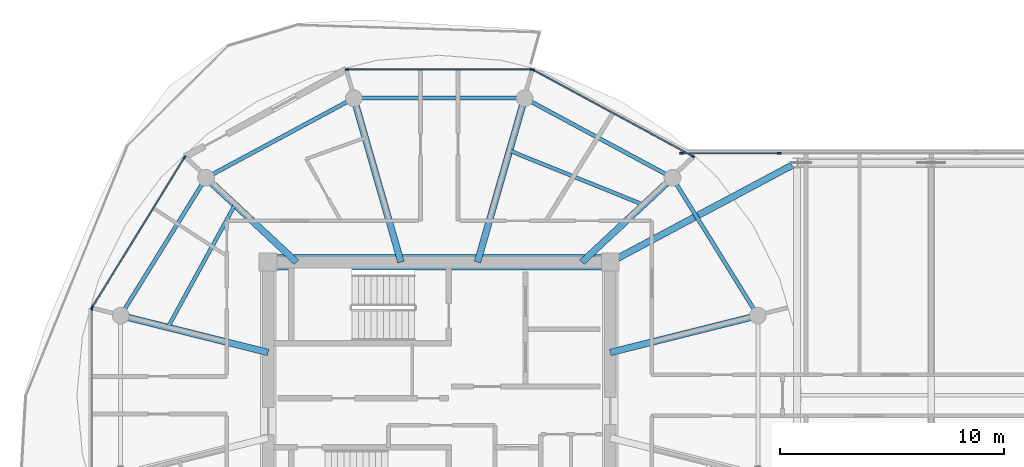
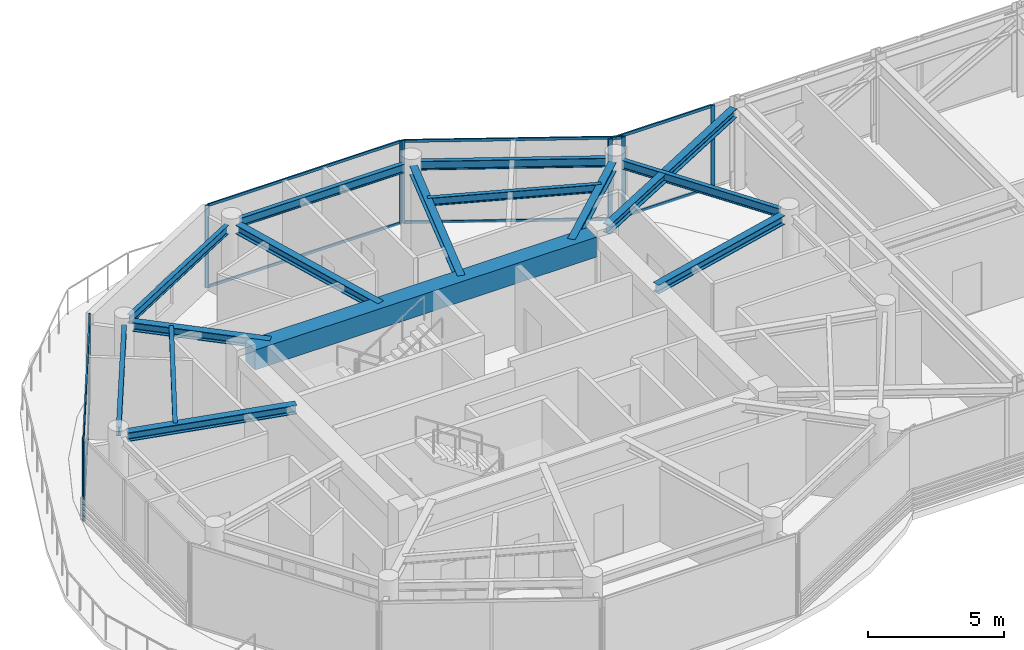
# One storey, part 5 of 24: 17 members, 15 beams, 5 elements without a shape of their own.
"""IFC4 building model written with IfcOpenShell, lengths in metres."""

from ifc_helpers import new_model, si_unit, direction, frame, origin, origin_2d, place, context, subcontext, project, spatial, rectangle, i_section, extrude, source, transform, mapped, material, layer, layer_set, material_profile, profile_set, type_object, type_shapes, element, aggregate, save


model = new_model("IFC4")

# Units and contexts
model_context = context("Model", 3, precision=1e-05, world=origin(), true_north=direction((0.0, 1.0)))
body_context = subcontext(model_context, "Body", "Model", "MODEL_VIEW")
ifc_project = project(units=[si_unit("LENGTHUNIT", "METRE"), si_unit("AREAUNIT", "SQUARE_METRE"), si_unit("VOLUMEUNIT", "CUBIC_METRE"), si_unit("PLANEANGLEUNIT", "RADIAN"), si_unit("MASSUNIT", "GRAM", prefix="KILO")], contexts=[model_context])

# Site, building, storey
site_placement = place(None, origin())
site = spatial("IfcSite", under=ifc_project, at=site_placement, CompositionType="ELEMENT")
building_placement = place(site_placement, origin())
building = spatial("IfcBuilding", under=site, at=building_placement, Name="Norrkilde Senior Care Towers", CompositionType="ELEMENT")
storey_placement = place(building_placement, frame((0.0, 0.0, 203.800048828125)))
storey = spatial("IfcBuildingStorey", under=building, at=storey_placement, Name="L63", CompositionType="ELEMENT", Elevation=203.800048828125)

# Beams
ifc_material_1 = material(Name="Concrete C60/75", Category="concrete")
ifc_material_profile_1 = material_profile(ifc_material_1, rectangle(XDim=0.699951171875, YDim=0.89990234375, at=origin_2d()), Name="RC BM 700x900")
ifc_profile_set_1 = profile_set([ifc_material_profile_1], Name="Concrete C60/75")
beam_type_1 = type_object("IfcBeamType", Name="Core Coupling Girder 700x900", PredefinedType="USERDEFINED", material=ifc_profile_set_1)
shared_shape_1 = source(origin(), body_context, "Body", "SweptSolid", [
    extrude(rectangle(XDim=0.699951171875, YDim=0.89990234375, at=origin_2d()), origin(), (0.0, 0.0, 1.0), 14.5400390625),
])
type_shapes(beam_type_1, [shared_shape_1])
beam_1_placement = place(storey_placement, frame((-35.27001953125, 5.949951171875, 3.260009765625), z_axis=(1.0, 0.0, 0.0), x_axis=(0.0, 1.0, 0.0)))
element("IfcBeam", 1, at=beam_1_placement, inside=storey, type_object=beam_type_1, Name="L63 Core W N Coupling Girder", ObjectType="GIRDER", PredefinedType="USERDEFINED", context=body_context, shape_type="MappedRepresentation", body=[
    mapped(shared_shape_1, transform((0.0, 0.0, 0.0), x_axis=(1.0, 0.0, 0.0), y_axis=(0.0, 1.0, 0.0), z_axis=(0.0, 0.0, 1.0), scale=1.0)),
])
ifc_material_2 = material(Name="Steel S355", Category="steel")
ifc_material_profile_2 = material_profile(ifc_material_2, i_section(OverallWidth=0.179931640625, OverallDepth=0.39990234375, WebThickness=0.008544921875, FlangeThickness=0.013427734375, FilletRadius=0.02099609375, at=origin_2d()), Name="IPE 400")
ifc_profile_set_2 = profile_set([ifc_material_profile_2], Name="Steel S355")
beam_type_2 = type_object("IfcBeamType", Name="Perimeter Ring Spandrel Z4 IPE400", PredefinedType="SPANDREL", material=ifc_profile_set_2)
shared_shape_2 = source(origin(), body_context, "Body", "SweptSolid", [
    extrude(i_section(OverallWidth=0.179931640625, OverallDepth=0.39990234375, WebThickness=0.008544921875, FlangeThickness=0.013427734375, FilletRadius=0.02099609375, at=origin_2d()), origin(), (0.0, 0.0, 1.0), 6.58056640625),
])
for number, where, z_axis, x_axis, name in (
    (2, (-13.928955078125, 3.843505859375, 3.510009765625), (-0.526529583789, 0.850156807533, 0.0), (-0.850156807533, -0.526529583789, 0.0), "L63 Drum W Perimeter Spandrel 01"),
    (3, (-38.606201171875, 9.43798828125, 3.510009765625), (-0.526529583789, -0.850156807533, 0.0), (0.850156807533, -0.526529583789, 0.0), "L63 Drum W Perimeter Spandrel 05"),
):
    element("IfcBeam", number, at=place(storey_placement, frame(where, z_axis=z_axis, x_axis=x_axis)), inside=storey, type_object=beam_type_2, Name=name, PredefinedType="SPANDREL", context=body_context, shape_type="MappedRepresentation", body=[
        mapped(shared_shape_2, transform((0.0, 0.0, 0.0), x_axis=(1.0, 0.0, 0.0), y_axis=(0.0, 1.0, 0.0), z_axis=(0.0, 0.0, 1.0), scale=1.0)),
    ])
ifc_material_profile_3 = material_profile(ifc_material_2, i_section(OverallWidth=0.300048828125, OverallDepth=0.39990234375, WebThickness=0.013427734375, FlangeThickness=0.02392578125, FilletRadius=0.027099609375, at=origin_2d()), Name="HEB 400")
ifc_profile_set_3 = profile_set([ifc_material_profile_3], Name="Steel S355")
beam_type_3 = type_object("IfcBeamType", Name="Radial Floor Beam Z4 HEB400", PredefinedType="BEAM", material=ifc_profile_set_3)
shared_shape_3 = source(origin(), body_context, "Body", "SweptSolid", [
    extrude(i_section(OverallWidth=0.300048828125, OverallDepth=0.39990234375, WebThickness=0.013427734375, FlangeThickness=0.02392578125, FilletRadius=0.027099609375, at=origin_2d()), origin(), (0.0, 0.0, 1.0), 6.465087890625),
])
for number, where, z_axis, x_axis, name in (
    (4, (-20.35009765625, 1.910888671875, 3.510009765625), (0.970195788563, 0.242322371758, 0.0), (-0.242322371758, 0.970195788563, 0.0), "L63 Drum W Radial Floor Beam 01"),
    (5, (-35.64990234375, 1.910888671875, 3.510009765625), (-0.970195788563, 0.242322371758, 0.0), (-0.242322371758, -0.970195788563, 0.0), "L63 Drum W Radial Floor Beam 06"),
):
    element("IfcBeam", number, at=place(storey_placement, frame(where, z_axis=z_axis, x_axis=x_axis)), inside=storey, type_object=beam_type_3, Name=name, PredefinedType="BEAM", context=body_context, shape_type="MappedRepresentation", body=[
        mapped(shared_shape_3, transform((0.0, 0.0, 0.0), x_axis=(1.0, 0.0, 0.0), y_axis=(0.0, 1.0, 0.0), z_axis=(0.0, 0.0, 1.0), scale=1.0)),
    ])
shared_shape_4 = source(origin(), body_context, "Body", "SweptSolid", [
    extrude(i_section(OverallWidth=0.179931640625, OverallDepth=0.39990234375, WebThickness=0.008544921875, FlangeThickness=0.013427734375, FilletRadius=0.02099609375, at=origin_2d()), origin(), (0.0, 0.0, 1.0), 6.839111328125),
])
for number, where, z_axis, x_axis, name in (
    (6, (-17.865234375, 9.881591796875, 3.510009765625), (-0.880563930732, 0.473927382511, 0.0), (-0.473927382511, -0.880563930732, 0.0), "L63 Drum W Perimeter Spandrel 02"),
    (7, (-32.112548828125, 13.122802734375, 3.510009765625), (-0.880563930732, -0.473927382511, 0.0), (0.473927382511, -0.880563930732, 0.0), "L63 Drum W Perimeter Spandrel 04"),
):
    element("IfcBeam", number, at=place(storey_placement, frame(where, z_axis=z_axis, x_axis=x_axis)), inside=storey, type_object=beam_type_2, Name=name, PredefinedType="SPANDREL", context=body_context, shape_type="MappedRepresentation", body=[
        mapped(shared_shape_4, transform((0.0, 0.0, 0.0), x_axis=(1.0, 0.0, 0.0), y_axis=(0.0, 1.0, 0.0), z_axis=(0.0, 0.0, 1.0), scale=1.0)),
    ])
shared_shape_5 = source(origin(), body_context, "Body", "SweptSolid", [
    extrude(i_section(OverallWidth=0.300048828125, OverallDepth=0.39990234375, WebThickness=0.013427734375, FlangeThickness=0.02392578125, FilletRadius=0.027099609375, at=origin_2d()), origin(), (0.0, 0.0, 1.0), 5.197998046875),
])
for number, where, z_axis, x_axis, name in (
    (8, (-21.6171875, 5.949951171875, 3.510009765625), (0.731448749334, 0.681896419625, 0.0), (-0.681896419625, 0.731448749334, 0.0), "L63 Drum W Radial Floor Beam 02"),
    (9, (-34.3828125, 5.949951171875, 3.510009765625), (-0.731448749334, 0.681896419625, 0.0), (-0.681896419625, -0.731448749334, 0.0), "L63 Drum W Radial Floor Beam 05"),
):
    element("IfcBeam", number, at=place(storey_placement, frame(where, z_axis=z_axis, x_axis=x_axis)), inside=storey, type_object=beam_type_3, Name=name, PredefinedType="BEAM", context=body_context, shape_type="MappedRepresentation", body=[
        mapped(shared_shape_5, transform((0.0, 0.0, 0.0), x_axis=(1.0, 0.0, 0.0), y_axis=(0.0, 1.0, 0.0), z_axis=(0.0, 0.0, 1.0), scale=1.0)),
    ])
shared_shape_6 = source(origin(), body_context, "Body", "SweptSolid", [
    extrude(i_section(OverallWidth=0.179931640625, OverallDepth=0.39990234375, WebThickness=0.008544921875, FlangeThickness=0.013427734375, FilletRadius=0.02099609375, at=origin_2d()), origin(), (0.0, 0.0, 1.0), 6.96533203125),
])
type_shapes(beam_type_2, [shared_shape_2, shared_shape_4, shared_shape_6])
beam_2_placement = place(storey_placement, frame((-24.517333984375, 13.281494140625, 3.510009765625), z_axis=(-1.0, 0.0, 0.0), x_axis=(0.0, -1.0, 0.0)))
element("IfcBeam", 10, at=beam_2_placement, inside=storey, type_object=beam_type_2, Name="L63 Drum W Perimeter Spandrel 03", PredefinedType="SPANDREL", context=body_context, shape_type="MappedRepresentation", body=[
    mapped(shared_shape_6, transform((0.0, 0.0, 0.0), x_axis=(1.0, 0.0, 0.0), y_axis=(0.0, 1.0, 0.0), z_axis=(0.0, 0.0, 1.0), scale=1.0)),
])
shared_shape_7 = source(origin(), body_context, "Body", "SweptSolid", [
    extrude(i_section(OverallWidth=0.300048828125, OverallDepth=0.39990234375, WebThickness=0.013427734375, FlangeThickness=0.02392578125, FilletRadius=0.027099609375, at=origin_2d()), origin(), (0.0, 0.0, 1.0), 7.29345703125),
])
for number, where, z_axis, x_axis, name in (
    (11, (-26.289794921875, 5.949951171875, 3.510009765625), (0.276263751906, 0.961081858836, 0.0), (-0.961081858836, 0.276263751906, 0.0), "L63 Drum W Radial Floor Beam 03"),
    (12, (-29.710205078125, 5.949951171875, 3.510009765625), (-0.276263751906, 0.961081858836, 0.0), (-0.961081858836, -0.276263751906, 0.0), "L63 Drum W Radial Floor Beam 04"),
):
    element("IfcBeam", number, at=place(storey_placement, frame(where, z_axis=z_axis, x_axis=x_axis)), inside=storey, type_object=beam_type_3, Name=name, PredefinedType="BEAM", context=body_context, shape_type="MappedRepresentation", body=[
        mapped(shared_shape_7, transform((0.0, 0.0, 0.0), x_axis=(1.0, 0.0, 0.0), y_axis=(0.0, 1.0, 0.0), z_axis=(0.0, 0.0, 1.0), scale=1.0)),
    ])
ifc_material_profile_4 = material_profile(ifc_material_2, i_section(OverallWidth=0.169921875, OverallDepth=0.360107421875, WebThickness=0.008056640625, FlangeThickness=0.0126953125, FilletRadius=0.01806640625, at=origin_2d()), Name="IPE 360")
ifc_profile_set_4 = profile_set([ifc_material_profile_4], Name="Steel S355")
beam_type_4 = type_object("IfcBeamType", Name="Secondary Floor Joist IPE360", PredefinedType="JOIST", material=ifc_profile_set_4)
shared_shape_8 = source(origin(), body_context, "Body", "SweptSolid", [
    extrude(i_section(OverallWidth=0.169921875, OverallDepth=0.360107421875, WebThickness=0.008056640625, FlangeThickness=0.0126953125, FilletRadius=0.01806640625, at=origin_2d()), origin(), (0.0, 0.0, 1.0), 6.461669921875),
])
beam_3_placement = place(storey_placement, frame((-18.865234375, 8.515380859375, 3.530029296875), z_axis=(-0.927225942298, 0.374502405772, 0.0), x_axis=(-0.374502405772, -0.927225942298, 0.0)))
element("IfcBeam", 13, at=beam_3_placement, inside=storey, type_object=beam_type_4, Name="L63 Drum W Secondary Floor Joist 1", PredefinedType="JOIST", context=body_context, shape_type="MappedRepresentation", body=[
    mapped(shared_shape_8, transform((0.0, 0.0, 0.0), x_axis=(1.0, 0.0, 0.0), y_axis=(0.0, 1.0, 0.0), z_axis=(0.0, 0.0, 1.0), scale=1.0)),
])
shared_shape_9 = source(origin(), body_context, "Body", "SweptSolid", [
    extrude(i_section(OverallWidth=0.169921875, OverallDepth=0.360107421875, WebThickness=0.008056640625, FlangeThickness=0.0126953125, FilletRadius=0.01806640625, at=origin_2d()), origin(), (0.0, 0.0, 1.0), 6.25146484375),
])
type_shapes(beam_type_4, [shared_shape_8, shared_shape_9])
beam_4_placement = place(storey_placement, frame((-37.134765625, 8.515380859375, 3.530029296875), z_axis=(-0.480115752653, -0.877205143655, 0.0), x_axis=(0.877205143655, -0.480115752653, 0.0)))
element("IfcBeam", 14, at=beam_4_placement, inside=storey, type_object=beam_type_4, Name="L63 Drum W Secondary Floor Joist 2", PredefinedType="JOIST", context=body_context, shape_type="MappedRepresentation", body=[
    mapped(shared_shape_9, transform((0.0, 0.0, 0.0), x_axis=(1.0, 0.0, 0.0), y_axis=(0.0, 1.0, 0.0), z_axis=(0.0, 0.0, 1.0), scale=1.0)),
])
shared_shape_10 = source(origin(), body_context, "Body", "SweptSolid", [
    extrude(i_section(OverallWidth=0.300048828125, OverallDepth=0.39990234375, WebThickness=0.013427734375, FlangeThickness=0.02392578125, FilletRadius=0.027099609375, at=origin_2d()), origin(), (0.0, 0.0, 1.0), 8.831787109375),
])
type_shapes(beam_type_3, [shared_shape_3, shared_shape_5, shared_shape_7, shared_shape_10])
beam_5_placement = place(storey_placement, frame((-20.0146484375, 6.128662109375, 3.510009765625), z_axis=(0.882492172381, 0.470327083727, 0.0), x_axis=(-0.470327083727, 0.882492172381, 0.0)))
element("IfcBeam", 15, at=beam_5_placement, inside=storey, type_object=beam_type_3, Name="L63 Sky-Gate Bridge Girder N1", PredefinedType="BEAM", context=body_context, shape_type="MappedRepresentation", body=[
    mapped(shared_shape_10, transform((0.0, 0.0, 0.0), x_axis=(1.0, 0.0, 0.0), y_axis=(0.0, 1.0, 0.0), z_axis=(0.0, 0.0, 1.0), scale=1.0)),
])

# Curtain wall, members
ifc_material_3 = material(Name="Triple Low-E Insulated Glazing", Category="glass")
ifc_layer_1 = layer(ifc_material_3, 0.18505859375)
ifc_layer_set_1 = layer_set([ifc_layer_1], Name="Triple Low-E Insulated Glazing")
curtain_wall_type_1 = type_object("IfcCurtainWallType", Name="CW6 Zone 4 Crown Pavilion Curtain Wall", PredefinedType="NOTDEFINED", material=ifc_layer_set_1)
curtain_wall_1_placement = place(storey_placement, origin())
curtain_wall_1 = element("IfcCurtainWall", 16, at=curtain_wall_1_placement, inside=storey, type_object=curtain_wall_type_1, Name="L63 Drum W Curtain Wall 04", PredefinedType="NOTDEFINED")
ifc_material_4 = material(Name="Anodised Aluminium", Category="aluminium")
ifc_material_profile_5 = material_profile(ifc_material_4, rectangle(XDim=0.06005859375, YDim=0.1201171875, at=origin_2d()), Name="ALU TRAN 60x120")
ifc_profile_set_5 = profile_set([ifc_material_profile_5], Name="Anodised Aluminium")
member_type_1 = type_object("IfcMemberType", Name="Curtain Wall Transom Typical 60x120", PredefinedType="USERDEFINED", material=ifc_profile_set_5)
shared_shape_11 = source(origin(), body_context, "Body", "SweptSolid", [
    extrude(rectangle(XDim=0.06005859375, YDim=0.1201171875, at=origin_2d()), origin(), (0.0, 0.0, 1.0), 7.808837890625),
])
member_1_placement = place(storey_placement, frame((-43.498046875, 3.958251953125, 0.030029296875), z_axis=(0.524250924101, 0.851563837055, 0.0), x_axis=(-0.851563837055, 0.524250924101, 0.0)))
member_1 = element("IfcMember", 17, at=member_1_placement, type_object=member_type_1, Name="CW-6 transom 1.1", ObjectType="TRANSOM", PredefinedType="USERDEFINED", context=body_context, shape_type="MappedRepresentation", body=[
    mapped(shared_shape_11, transform((0.0, 0.0, 0.0), x_axis=(1.0, 0.0, 0.0), y_axis=(0.0, 1.0, 0.0), z_axis=(0.0, 0.0, 1.0), scale=1.0)),
])
member_2_placement = place(storey_placement, frame((-43.498046875, 3.958251953125, 3.679931640625), z_axis=(0.524250924101, 0.851563837055, 0.0), x_axis=(-0.851563837055, 0.524250924101, 0.0)))
member_2 = element("IfcMember", 18, at=member_2_placement, type_object=member_type_1, Name="CW-6 transom 1.2", ObjectType="TRANSOM", PredefinedType="USERDEFINED", context=body_context, shape_type="MappedRepresentation", body=[
    mapped(shared_shape_11, transform((0.0, 0.0, 0.0), x_axis=(1.0, 0.0, 0.0), y_axis=(0.0, 1.0, 0.0), z_axis=(0.0, 0.0, 1.0), scale=1.0)),
])

curtain_wall_2_placement = place(storey_placement, origin())
curtain_wall_2 = element("IfcCurtainWall", 19, at=curtain_wall_2_placement, inside=storey, type_object=curtain_wall_type_1, Name="L63 Drum W Curtain Wall 02", PredefinedType="NOTDEFINED")
shared_shape_12 = source(origin(), body_context, "Body", "SweptSolid", [
    extrude(rectangle(XDim=0.06005859375, YDim=0.1201171875, at=origin_2d()), origin(), (0.0, 0.0, 1.0), 8.19384765625),
])
member_3_placement = place(storey_placement, frame((-32.096923828125, 14.566162109375, 0.030029296875), z_axis=(1.0, 0.0, 0.0), x_axis=(0.0, 1.0, 0.0)))
member_3 = element("IfcMember", 20, at=member_3_placement, type_object=member_type_1, Name="CW-6 transom 1.1", ObjectType="TRANSOM", PredefinedType="USERDEFINED", context=body_context, shape_type="MappedRepresentation", body=[
    mapped(shared_shape_12, transform((0.0, 0.0, 0.0), x_axis=(1.0, 0.0, 0.0), y_axis=(0.0, 1.0, 0.0), z_axis=(0.0, 0.0, 1.0), scale=1.0)),
])
member_4_placement = place(storey_placement, frame((-32.096923828125, 14.566162109375, 3.679931640625), z_axis=(1.0, 0.0, 0.0), x_axis=(0.0, 1.0, 0.0)))
member_4 = element("IfcMember", 21, at=member_4_placement, type_object=member_type_1, Name="CW-6 transom 1.2", ObjectType="TRANSOM", PredefinedType="USERDEFINED", context=body_context, shape_type="MappedRepresentation", body=[
    mapped(shared_shape_12, transform((0.0, 0.0, 0.0), x_axis=(1.0, 0.0, 0.0), y_axis=(0.0, 1.0, 0.0), z_axis=(0.0, 0.0, 1.0), scale=1.0)),
])

curtain_wall_3_placement = place(storey_placement, origin())
curtain_wall_3 = element("IfcCurtainWall", 22, at=curtain_wall_3_placement, inside=storey, type_object=curtain_wall_type_1, Name="L63 Drum W Curtain Wall 01", PredefinedType="NOTDEFINED")
shared_shape_13 = source(origin(), body_context, "Body", "SweptSolid", [
    extrude(rectangle(XDim=0.06005859375, YDim=0.1201171875, at=origin_2d()), origin(), (0.0, 0.0, 1.0), 8.0673828125),
])
type_shapes(member_type_1, [shared_shape_11, shared_shape_12, shared_shape_13])
member_5_placement = place(storey_placement, frame((-23.781005859375, 14.53515625, 0.030029296875), z_axis=(0.87937750072, -0.476125205411, 0.0), x_axis=(0.476125205411, 0.87937750072, 0.0)))
member_5 = element("IfcMember", 23, at=member_5_placement, type_object=member_type_1, Name="CW-6 transom 1.1", ObjectType="TRANSOM", PredefinedType="USERDEFINED", context=body_context, shape_type="MappedRepresentation", body=[
    mapped(shared_shape_13, transform((0.0, 0.0, 0.0), x_axis=(1.0, 0.0, 0.0), y_axis=(0.0, 1.0, 0.0), z_axis=(0.0, 0.0, 1.0), scale=1.0)),
])
member_6_placement = place(storey_placement, frame((-23.781005859375, 14.53515625, 3.679931640625), z_axis=(0.87937750072, -0.476125205411, 0.0), x_axis=(0.476125205411, 0.87937750072, 0.0)))
member_6 = element("IfcMember", 24, at=member_6_placement, type_object=member_type_1, Name="CW-6 transom 1.2", ObjectType="TRANSOM", PredefinedType="USERDEFINED", context=body_context, shape_type="MappedRepresentation", body=[
    mapped(shared_shape_13, transform((0.0, 0.0, 0.0), x_axis=(1.0, 0.0, 0.0), y_axis=(0.0, 1.0, 0.0), z_axis=(0.0, 0.0, 1.0), scale=1.0)),
])
ifc_material_profile_6 = material_profile(ifc_material_4, rectangle(XDim=0.06494140625, YDim=0.14990234375, at=origin_2d()), Name="ALU MULL 65x150")
ifc_profile_set_6 = profile_set([ifc_material_profile_6], Name="Anodised Aluminium")
member_type_2 = type_object("IfcMemberType", Name="Curtain Wall Mullion Z3-Z4 65x150", PredefinedType="MULLION", material=ifc_profile_set_6)
shared_shape_14 = source(origin(), body_context, "Body", "SweptSolid", [
    extrude(rectangle(XDim=0.06494140625, YDim=0.14990234375, at=origin_2d()), origin(), (0.0, 0.0, 1.0), 3.7099609375),
])
type_shapes(member_type_2, [shared_shape_14])
member_7_placement = place(storey_placement, frame((-23.8095703125, 14.55078125, 0.0), z_axis=(0.0, 0.0, 1.0), x_axis=(0.476132676136, 0.879373455772, 0.0)))
member_7 = element("IfcMember", 25, at=member_7_placement, type_object=member_type_2, Name="CW-6 mullion 1", PredefinedType="MULLION", context=body_context, shape_type="MappedRepresentation", body=[
    mapped(shared_shape_14, transform((0.0, 0.0, 0.0), x_axis=(1.0, 0.0, 0.0), y_axis=(0.0, 1.0, 0.0), z_axis=(0.0, 0.0, 1.0), scale=1.0)),
])
member_8_placement = place(storey_placement, frame((-16.658203125, 10.6787109375, 0.0), z_axis=(0.0, 0.0, 1.0), x_axis=(0.476132676136, 0.879373455772, 0.0)))
member_8 = element("IfcMember", 26, at=member_8_placement, type_object=member_type_2, Name="CW-6 mullion 2", PredefinedType="MULLION", context=body_context, shape_type="MappedRepresentation", body=[
    mapped(shared_shape_14, transform((0.0, 0.0, 0.0), x_axis=(1.0, 0.0, 0.0), y_axis=(0.0, 1.0, 0.0), z_axis=(0.0, 0.0, 1.0), scale=1.0)),
])
aggregate(curtain_wall_3, [member_7, member_8, member_5, member_6])

# Member
member_9_placement = place(storey_placement, frame((-32.12939453125, 14.566162109375, 0.0), z_axis=(0.0, 0.0, 1.0), x_axis=(0.0, 1.0, 0.0)))
member_9 = element("IfcMember", 27, at=member_9_placement, type_object=member_type_2, Name="CW-6 mullion 1", PredefinedType="MULLION", context=body_context, shape_type="MappedRepresentation", body=[
    mapped(shared_shape_14, transform((0.0, 0.0, 0.0), x_axis=(1.0, 0.0, 0.0), y_axis=(0.0, 1.0, 0.0), z_axis=(0.0, 0.0, 1.0), scale=1.0)),
])

member_10_placement = place(storey_placement, frame((-23.87060546875, 14.566162109375, 0.0), z_axis=(0.0, 0.0, 1.0), x_axis=(0.0, 1.0, 0.0)))
member_10 = element("IfcMember", 28, at=member_10_placement, type_object=member_type_2, Name="CW-6 mullion 2", PredefinedType="MULLION", context=body_context, shape_type="MappedRepresentation", body=[
    mapped(shared_shape_14, transform((0.0, 0.0, 0.0), x_axis=(1.0, 0.0, 0.0), y_axis=(0.0, 1.0, 0.0), z_axis=(0.0, 0.0, 1.0), scale=1.0)),
])

aggregate(curtain_wall_2, [member_9, member_10, member_3, member_4])

member_11_placement = place(storey_placement, frame((-43.51513671875, 3.9306640625, 0.0), z_axis=(0.0, 0.0, 1.0), x_axis=(-0.851562727283, 0.524252726748, 0.0)))
member_11 = element("IfcMember", 29, at=member_11_placement, type_object=member_type_2, Name="CW-6 mullion 1", PredefinedType="MULLION", context=body_context, shape_type="MappedRepresentation", body=[
    mapped(shared_shape_14, transform((0.0, 0.0, 0.0), x_axis=(1.0, 0.0, 0.0), y_axis=(0.0, 1.0, 0.0), z_axis=(0.0, 0.0, 1.0), scale=1.0)),
])

member_12_placement = place(storey_placement, frame((-39.38720703125, 10.635498046875, 0.0), z_axis=(0.0, 0.0, 1.0), x_axis=(-0.851562727283, 0.524252726748, 0.0)))
member_12 = element("IfcMember", 30, at=member_12_placement, type_object=member_type_2, Name="CW-6 mullion 2", PredefinedType="MULLION", context=body_context, shape_type="MappedRepresentation", body=[
    mapped(shared_shape_14, transform((0.0, 0.0, 0.0), x_axis=(1.0, 0.0, 0.0), y_axis=(0.0, 1.0, 0.0), z_axis=(0.0, 0.0, 1.0), scale=1.0)),
])

aggregate(curtain_wall_1, [member_11, member_12, member_1, member_2])

# Curtain wall, member
curtain_wall_4_placement = place(storey_placement, origin())
curtain_wall_4 = element("IfcCurtainWall", 31, at=curtain_wall_4_placement, inside=storey, type_object=curtain_wall_type_1, Name="L63 Drum W Curtain Wall 05", PredefinedType="NOTDEFINED")
member_13_placement = place(storey_placement, frame((-43.531982421875, 3.87060546875, 0.0), z_axis=(0.0, 0.0, 1.0), x_axis=(-1.0, 0.0, 0.0)))
member_13 = element("IfcMember", 32, at=member_13_placement, type_object=member_type_2, Name="CW-6 mullion 2", PredefinedType="MULLION", context=body_context, shape_type="MappedRepresentation", body=[
    mapped(shared_shape_14, transform((0.0, 0.0, 0.0), x_axis=(1.0, 0.0, 0.0), y_axis=(0.0, 1.0, 0.0), z_axis=(0.0, 0.0, 1.0), scale=1.0)),
])
aggregate(curtain_wall_4, [member_13])

# Curtain wall, members
ifc_layer_2 = layer(ifc_material_3, 0.2099609375)
ifc_layer_set_2 = layer_set([ifc_layer_2], Name="Triple Low-E Insulated Glazing")
curtain_wall_type_2 = type_object("IfcCurtainWallType", Name="CW5 Sky-Gate Bridge Curtain Wall", PredefinedType="NOTDEFINED", material=ifc_layer_set_2)
curtain_wall_5_placement = place(storey_placement, origin())
curtain_wall_5 = element("IfcCurtainWall", 33, at=curtain_wall_5_placement, inside=storey, type_object=curtain_wall_type_2, Name="L63 Sky-Gate Bridge North Curtain Wall 1", PredefinedType="NOTDEFINED")
ifc_material_profile_7 = material_profile(ifc_material_4, rectangle(XDim=0.070068359375, YDim=0.169921875, at=origin_2d()), Name="ALU MULL 70x170")
ifc_profile_set_7 = profile_set([ifc_material_profile_7], Name="Anodised Aluminium")
member_type_3 = type_object("IfcMemberType", Name="Curtain Wall Mullion Heavy 70x170", PredefinedType="MULLION", material=ifc_profile_set_7)
shared_shape_15 = source(origin(), body_context, "Body", "SweptSolid", [
    extrude(rectangle(XDim=0.070068359375, YDim=0.169921875, at=origin_2d()), origin(), (0.0, 0.0, 1.0), 3.7099609375),
])
type_shapes(member_type_3, [shared_shape_15])
member_14_placement = place(storey_placement, frame((-17.1650390625, 10.820068359375, 0.0), z_axis=(0.0, 0.0, 1.0), x_axis=(0.0, 1.0, 0.0)))
member_14 = element("IfcMember", 34, at=member_14_placement, type_object=member_type_3, Name="CW-5 mullion 1", PredefinedType="MULLION", context=body_context, shape_type="MappedRepresentation", body=[
    mapped(shared_shape_15, transform((0.0, 0.0, 0.0), x_axis=(1.0, 0.0, 0.0), y_axis=(0.0, 1.0, 0.0), z_axis=(0.0, 0.0, 1.0), scale=1.0)),
])
member_15_placement = place(storey_placement, frame((-12.800048828125, 10.820068359375, 0.0), z_axis=(0.0, 0.0, 1.0), x_axis=(0.0, 1.0, 0.0)))
member_15 = element("IfcMember", 35, at=member_15_placement, type_object=member_type_3, Name="CW-5 mullion 2", PredefinedType="MULLION", context=body_context, shape_type="MappedRepresentation", body=[
    mapped(shared_shape_15, transform((0.0, 0.0, 0.0), x_axis=(1.0, 0.0, 0.0), y_axis=(0.0, 1.0, 0.0), z_axis=(0.0, 0.0, 1.0), scale=1.0)),
])
ifc_material_profile_8 = material_profile(ifc_material_4, rectangle(XDim=0.06494140625, YDim=0.1298828125, at=origin_2d()), Name="ALU TRAN 65x130")
ifc_profile_set_8 = profile_set([ifc_material_profile_8], Name="Anodised Aluminium")
member_type_4 = type_object("IfcMemberType", Name="Curtain Wall Transom Heavy 65x130", PredefinedType="USERDEFINED", material=ifc_profile_set_8)
shared_shape_16 = source(origin(), body_context, "Body", "SweptSolid", [
    extrude(rectangle(XDim=0.06494140625, YDim=0.1298828125, at=origin_2d()), origin(), (0.0, 0.0, 1.0), 4.294921875),
])
type_shapes(member_type_4, [shared_shape_16])
member_16_placement = place(storey_placement, frame((-17.1298828125, 10.820068359375, 0.032470703125), z_axis=(1.0, 0.0, 0.0), x_axis=(0.0, 1.0, 0.0)))
member_16 = element("IfcMember", 36, at=member_16_placement, type_object=member_type_4, Name="CW-5 transom 1.1", ObjectType="TRANSOM", PredefinedType="USERDEFINED", context=body_context, shape_type="MappedRepresentation", body=[
    mapped(shared_shape_16, transform((0.0, 0.0, 0.0), x_axis=(1.0, 0.0, 0.0), y_axis=(0.0, 1.0, 0.0), z_axis=(0.0, 0.0, 1.0), scale=1.0)),
])
member_17_placement = place(storey_placement, frame((-17.1298828125, 10.820068359375, 3.677490234375), z_axis=(1.0, 0.0, 0.0), x_axis=(0.0, 1.0, 0.0)))
member_17 = element("IfcMember", 37, at=member_17_placement, type_object=member_type_4, Name="CW-5 transom 1.2", ObjectType="TRANSOM", PredefinedType="USERDEFINED", context=body_context, shape_type="MappedRepresentation", body=[
    mapped(shared_shape_16, transform((0.0, 0.0, 0.0), x_axis=(1.0, 0.0, 0.0), y_axis=(0.0, 1.0, 0.0), z_axis=(0.0, 0.0, 1.0), scale=1.0)),
])
aggregate(curtain_wall_5, [member_14, member_15, member_16, member_17])

save(model, "model.ifc")
